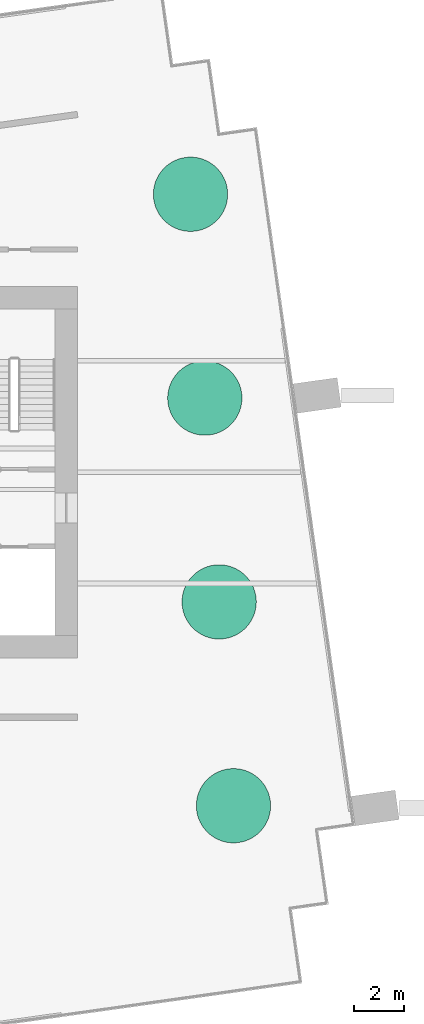
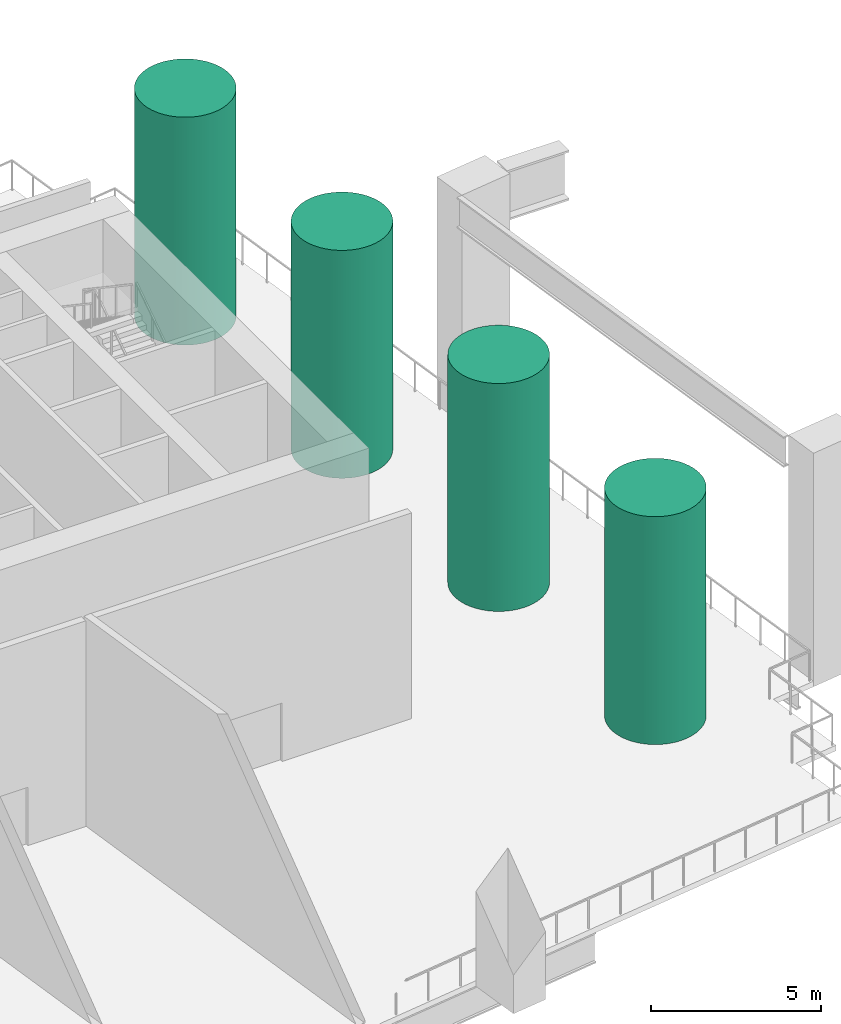
# One storey, part 13 of 13: 4 electric generators.
"""IFC4 building model written with IfcOpenShell, lengths in metres."""

from ifc_helpers import new_model, si_unit, direction, frame, origin, origin_2d, place, context, subcontext, project, spatial, circle, extrude, element, save


model = new_model("IFC4")

# Units and contexts
model_context = context("Model", 3, precision=1e-05, world=origin(), true_north=direction((0.0, 1.0)))
body_context = subcontext(model_context, "Body", "Model", "MODEL_VIEW")
ifc_project = project(units=[si_unit("LENGTHUNIT", "METRE"), si_unit("AREAUNIT", "SQUARE_METRE"), si_unit("VOLUMEUNIT", "CUBIC_METRE"), si_unit("PLANEANGLEUNIT", "RADIAN"), si_unit("MASSUNIT", "GRAM", prefix="KILO")], contexts=[model_context])

# Site, building, storey
site_placement = place(None, origin())
site = spatial("IfcSite", under=ifc_project, at=site_placement, CompositionType="ELEMENT")
building_placement = place(site_placement, origin())
building = spatial("IfcBuilding", under=site, at=building_placement, Name="Rattan Terrace Tower", CompositionType="ELEMENT")
storey_placement = place(building_placement, frame((0.0, 0.0, 199.699951171875)))
storey = spatial("IfcBuildingStorey", under=building, at=storey_placement, Name="L46", CompositionType="ELEMENT", Elevation=199.699951171875)

# Electric generators
for number, where, name in (
    (1, (24.302001953125, -13.47509765625, 0.0), "Wind turbine 1"),
    (2, (23.722900390625, -5.239990234375, 0.0), "Wind turbine 2"),
    (3, (23.14404296875, 2.993896484375, 0.0), "Wind turbine 3"),
    (4, (22.56591796875, 11.22900390625, 0.0), "Wind turbine 4"),
):
    element("IfcElectricGenerator", number, at=place(storey_placement, frame(where)), inside=storey, Name=name, ObjectType="WIND TURBINE", PredefinedType="USERDEFINED", context=body_context, shape_type="SweptSolid", body=[
        extrude(circle(Radius=1.5, at=origin_2d()), origin(), (0.0, 0.0, 1.0), 8.199951171875),
    ])

save(model, "model.ifc")
